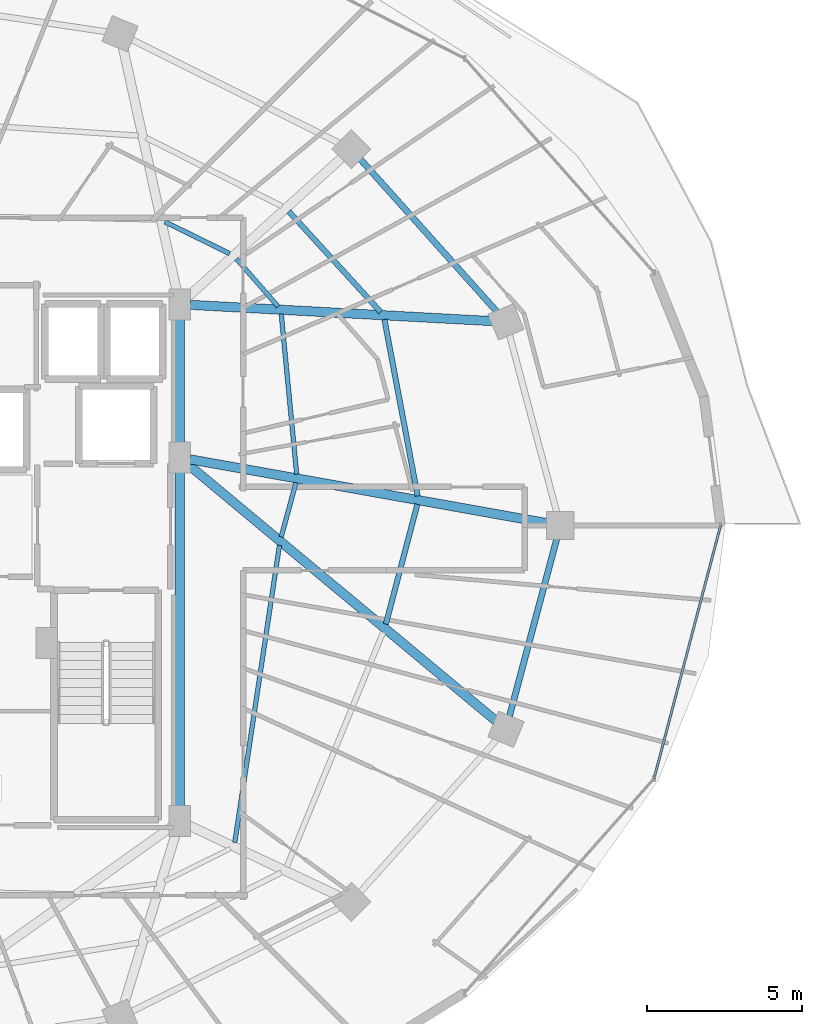
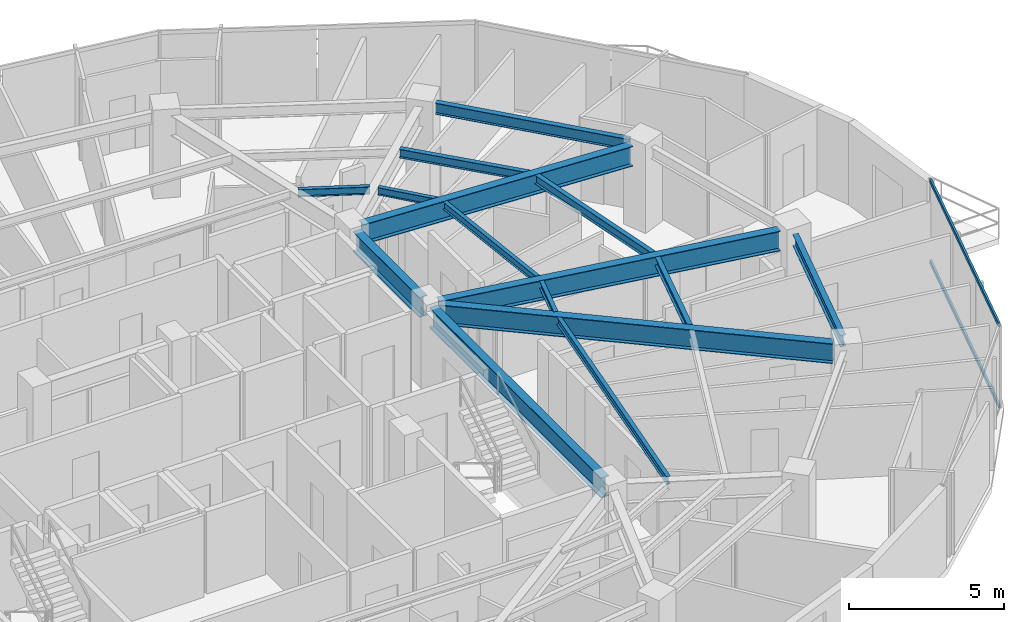
# One storey, part 14 of 34: 15 beams, 2 members, 1 element without a shape of its own.
"""IFC4 building model written with IfcOpenShell, lengths in metres."""

from ifc_helpers import new_model, si_unit, direction, frame, origin, origin_2d, place, context, subcontext, project, spatial, hollow_rectangle, i_section, extrude, material, material_profile, profile_set, type_object, element, aggregate, save


model = new_model("IFC4")

# Units and contexts
model_context = context("Model", 3, precision=1e-05, world=origin(), true_north=direction((0.0, 1.0)))
body_context = subcontext(model_context, "Body", "Model", "MODEL_VIEW")
ifc_project = project(units=[si_unit("LENGTHUNIT", "METRE"), si_unit("AREAUNIT", "SQUARE_METRE"), si_unit("VOLUMEUNIT", "CUBIC_METRE"), si_unit("PLANEANGLEUNIT", "RADIAN"), si_unit("MASSUNIT", "GRAM", prefix="KILO")], contexts=[model_context])

# Site, building, storey
site_placement = place(None, origin())
site = spatial("IfcSite", under=ifc_project, at=site_placement, CompositionType="ELEMENT")
building_placement = place(site_placement, origin())
building = spatial("IfcBuilding", under=site, at=building_placement, Name="Vorneva Point Tower", CompositionType="ELEMENT")
storey_placement = place(building_placement, frame((0.0, 0.0, 182.60009765625)))
storey = spatial("IfcBuildingStorey", under=building, at=storey_placement, Name="L49", CompositionType="ELEMENT", Elevation=182.60009765625)

# Beams
ifc_material_1 = material(Name="Steel S355", Category="steel")
ifc_material_profile_1 = material_profile(ifc_material_1, i_section(OverallWidth=0.300048828125, OverallDepth=0.7880859375, WebThickness=0.014404296875, FlangeThickness=0.02197265625, at=origin_2d()), Name="80Sh1")
ifc_profile_set_1 = profile_set([ifc_material_profile_1], Name="Steel S355")
beam_type_1 = type_object("IfcBeamType", Name="BM-GRD-80Sh1", PredefinedType="USERDEFINED", material=ifc_profile_set_1)
beam_1_placement = place(storey_placement, frame((60.618896484375, 26.0771484375, 2.845947265625), z_axis=(-0.984378602255, 0.176064668298, 0.0), x_axis=(-0.176064668298, -0.984378602255, 0.0)))
element("IfcBeam", 1, at=beam_1_placement, inside=storey, type_object=beam_type_1, Name="L49 Radial Primary Girder 01", ObjectType="GIRDER", PredefinedType="USERDEFINED", context=body_context, shape_type="SweptSolid", body=[
    extrude(i_section(OverallWidth=0.300048828125, OverallDepth=0.7880859375, WebThickness=0.014404296875, FlangeThickness=0.02197265625, at=origin_2d()), origin(), (0.0, 0.0, 1.0), 11.71728515625),
])
beam_2_placement = place(storey_placement, frame((58.85791015625, 32.605712890625, 2.845947265625), z_axis=(-0.998554028182, 0.053757351146, 0.0), x_axis=(-0.053757351146, -0.998554028182, 0.0)))
element("IfcBeam", 2, at=beam_2_placement, inside=storey, type_object=beam_type_1, Name="L49 Radial Primary Girder 02", ObjectType="GIRDER", PredefinedType="USERDEFINED", context=body_context, shape_type="SweptSolid", body=[
    extrude(i_section(OverallWidth=0.300048828125, OverallDepth=0.7880859375, WebThickness=0.014404296875, FlangeThickness=0.02197265625, at=origin_2d()), origin(), (0.0, 0.0, 1.0), 9.782470703125),
])
beam_3_placement = place(storey_placement, frame((58.958740234375, 19.697998046875, 2.845947265625), z_axis=(-0.768417564517, 0.639948784311, 0.0), x_axis=(-0.639948784311, -0.768417564517, 0.0)))
element("IfcBeam", 3, at=beam_3_placement, inside=storey, type_object=beam_type_1, Name="L49 Radial Primary Girder 16", ObjectType="GIRDER", PredefinedType="USERDEFINED", context=body_context, shape_type="SweptSolid", body=[
    extrude(i_section(OverallWidth=0.300048828125, OverallDepth=0.7880859375, WebThickness=0.014404296875, FlangeThickness=0.02197265625, at=origin_2d()), origin(), (0.0, 0.0, 1.0), 12.945556640625),
])
beam_4_placement = place(storey_placement, frame((48.75, 16.77001953125, 2.845947265625), z_axis=(0.0, 1.0, 0.0), x_axis=(-1.0, 0.0, 0.0)))
element("IfcBeam", 4, at=beam_4_placement, inside=storey, type_object=beam_type_1, Name="L49 Core Tie Girder CT3", ObjectType="GIRDER", PredefinedType="USERDEFINED", context=body_context, shape_type="SweptSolid", body=[
    extrude(i_section(OverallWidth=0.300048828125, OverallDepth=0.7880859375, WebThickness=0.014404296875, FlangeThickness=0.02197265625, at=origin_2d()), origin(), (0.0, 0.0, 1.0), 11.10986328125),
])
beam_5_placement = place(storey_placement, frame((48.75, 28.52001953125, 2.845947265625), z_axis=(0.0, 1.0, 0.0), x_axis=(-1.0, 0.0, 0.0)))
element("IfcBeam", 5, at=beam_5_placement, inside=storey, type_object=beam_type_1, Name="L49 Core Tie Girder CT4", ObjectType="GIRDER", PredefinedType="USERDEFINED", context=body_context, shape_type="SweptSolid", body=[
    extrude(i_section(OverallWidth=0.300048828125, OverallDepth=0.7880859375, WebThickness=0.014404296875, FlangeThickness=0.02197265625, at=origin_2d()), origin(), (0.0, 0.0, 1.0), 4.31005859375),
])
ifc_material_profile_2 = material_profile(ifc_material_1, i_section(OverallWidth=0.14892578125, OverallDepth=0.298095703125, WebThickness=0.005615234375, FlangeThickness=0.008056640625, at=origin_2d()), Name="30B1")
ifc_profile_set_2 = profile_set([ifc_material_profile_2], Name="Steel S355")
beam_type_2 = type_object("IfcBeamType", Name="BM-JST-30B1", PredefinedType="JOIST", material=ifc_profile_set_2)
beam_6_placement = place(storey_placement, frame((52.53173828125, 27.65869140625, 3.0908203125), z_axis=(-0.095841188908, 0.995396637783, 0.0), x_axis=(-0.995396637783, -0.095841188908, 0.0)))
element("IfcBeam", 6, at=beam_6_placement, inside=storey, type_object=beam_type_2, Name="L49 Secondary Floor Beam 2.01", PredefinedType="JOIST", context=body_context, shape_type="SweptSolid", body=[
    extrude(i_section(OverallWidth=0.14892578125, OverallDepth=0.298095703125, WebThickness=0.005615234375, FlangeThickness=0.008056640625, at=origin_2d()), origin(), (0.0, 0.0, 1.0), 5.20166015625),
])
beam_7_placement = place(storey_placement, frame((51.929443359375, 33.077880859375, 3.0908203125), z_axis=(-0.657025730744, 0.753868151032, 0.0), x_axis=(-0.753868151032, -0.657025730744, 0.0)))
element("IfcBeam", 7, at=beam_7_placement, inside=storey, type_object=beam_type_2, Name="L49 Secondary Floor Beam 2.02", PredefinedType="JOIST", context=body_context, shape_type="SweptSolid", body=[
    extrude(i_section(OverallWidth=0.14892578125, OverallDepth=0.298095703125, WebThickness=0.005615234375, FlangeThickness=0.008056640625, at=origin_2d()), origin(), (0.0, 0.0, 1.0), 2.047119140625),
])
beam_8_placement = place(storey_placement, frame((50.369873046875, 34.785888671875, 3.0908203125), z_axis=(-0.897704429199, 0.440598181789, 0.0), x_axis=(-0.440598181789, -0.897704429199, 0.0)))
element("IfcBeam", 8, at=beam_8_placement, inside=storey, type_object=beam_type_2, Name="L49 Secondary Floor Beam 2.03", PredefinedType="JOIST", context=body_context, shape_type="SweptSolid", body=[
    extrude(i_section(OverallWidth=0.14892578125, OverallDepth=0.298095703125, WebThickness=0.005615234375, FlangeThickness=0.008056640625, at=origin_2d()), origin(), (0.0, 0.0, 1.0), 2.336669921875),
])
beam_9_placement = place(storey_placement, frame((50.531494140625, 15.75732421875, 3.0908203125), z_axis=(0.14865392948, 0.988889280582, 0.0), x_axis=(-0.988889280582, 0.14865392948, 0.0)))
element("IfcBeam", 9, at=beam_9_placement, inside=storey, type_object=beam_type_2, Name="L49 Secondary Floor Beam 2.15", PredefinedType="JOIST", context=body_context, shape_type="SweptSolid", body=[
    extrude(i_section(OverallWidth=0.14892578125, OverallDepth=0.298095703125, WebThickness=0.005615234375, FlangeThickness=0.008056640625, at=origin_2d()), origin(), (0.0, 0.0, 1.0), 9.711181640625),
])
beam_10_placement = place(storey_placement, frame((52.03173828125, 25.63037109375, 3.0908203125), z_axis=(0.261948847975, 0.965081758736, 0.0), x_axis=(-0.965081758736, 0.261948847975, 0.0)))
element("IfcBeam", 10, at=beam_10_placement, inside=storey, type_object=beam_type_2, Name="L49 Secondary Floor Beam 2.16", PredefinedType="JOIST", context=body_context, shape_type="SweptSolid", body=[
    extrude(i_section(OverallWidth=0.14892578125, OverallDepth=0.298095703125, WebThickness=0.005615234375, FlangeThickness=0.008056640625, at=origin_2d()), origin(), (0.0, 0.0, 1.0), 1.821044921875),
])
ifc_material_profile_3 = material_profile(ifc_material_1, i_section(OverallWidth=0.174072265625, OverallDepth=0.345947265625, WebThickness=0.006103515625, FlangeThickness=0.009033203125, at=origin_2d()), Name="35B1")
ifc_profile_set_3 = profile_set([ifc_material_profile_3], Name="Steel S355")
beam_type_3 = type_object("IfcBeamType", Name="BM-SEC-35B1", PredefinedType="BEAM", material=ifc_profile_set_3)
beam_11_placement = place(storey_placement, frame((56.44091796875, 26.955322265625, 3.06689453125), z_axis=(-0.1850300408, 0.982732865026, 0.0), x_axis=(-0.982732865026, -0.1850300408, 0.0)))
element("IfcBeam", 11, at=beam_11_placement, inside=storey, type_object=beam_type_3, Name="L49 Secondary Floor Beam 1.01", PredefinedType="BEAM", context=body_context, shape_type="SweptSolid", body=[
    extrude(i_section(OverallWidth=0.174072265625, OverallDepth=0.345947265625, WebThickness=0.006103515625, FlangeThickness=0.009033203125, at=origin_2d()), origin(), (0.0, 0.0, 1.0), 5.804443359375),
])
beam_12_placement = place(storey_placement, frame((55.248291015625, 32.89697265625, 3.06689453125), z_axis=(-0.674381040012, 0.738383513407, 0.0), x_axis=(-0.738383513407, -0.674381040012, 0.0)))
element("IfcBeam", 12, at=beam_12_placement, inside=storey, type_object=beam_type_3, Name="L49 Secondary Floor Beam 1.02", PredefinedType="BEAM", context=body_context, shape_type="SweptSolid", body=[
    extrude(i_section(OverallWidth=0.174072265625, OverallDepth=0.345947265625, WebThickness=0.006103515625, FlangeThickness=0.009033203125, at=origin_2d()), origin(), (0.0, 0.0, 1.0), 4.40576171875),
])
beam_13_placement = place(storey_placement, frame((55.412841796875, 22.81396484375, 3.06689453125), z_axis=(0.254382249657, 0.96710375403, 0.0), x_axis=(-0.96710375403, 0.254382249657, 0.0)))
element("IfcBeam", 13, at=beam_13_placement, inside=storey, type_object=beam_type_3, Name="L49 Secondary Floor Beam 1.16", PredefinedType="BEAM", context=body_context, shape_type="SweptSolid", body=[
    extrude(i_section(OverallWidth=0.174072265625, OverallDepth=0.345947265625, WebThickness=0.006103515625, FlangeThickness=0.009033203125, at=origin_2d()), origin(), (0.0, 0.0, 1.0), 4.004150390625),
])
ifc_material_profile_4 = material_profile(ifc_material_1, i_section(OverallWidth=0.198974609375, OverallDepth=0.446044921875, WebThickness=0.008056640625, FlangeThickness=0.011962890625, at=origin_2d()), Name="45B1")
ifc_profile_set_4 = profile_set([ifc_material_profile_4], Name="Steel S355")
beam_type_4 = type_object("IfcBeamType", Name="BM-SPN-45B1", PredefinedType="SPANDREL", material=ifc_profile_set_4)
beam_14_placement = place(storey_placement, frame((59.005126953125, 32.90625, 3.016845703125), z_axis=(-0.66706970547, 0.744995307397, 0.0), x_axis=(-0.744995307397, -0.66706970547, 0.0)))
element("IfcBeam", 14, at=beam_14_placement, inside=storey, type_object=beam_type_4, Name="L49 Perimeter Spandrel Ring Beam 02", PredefinedType="SPANDREL", context=body_context, shape_type="SweptSolid", body=[
    extrude(i_section(OverallWidth=0.198974609375, OverallDepth=0.446044921875, WebThickness=0.008056640625, FlangeThickness=0.011962890625, at=origin_2d()), origin(), (0.0, 0.0, 1.0), 6.6201171875),
])
beam_15_placement = place(storey_placement, frame((59.407470703125, 19.838134765625, 3.016845703125), z_axis=(0.257578258003, 0.966257440336, 0.0), x_axis=(-0.966257440336, 0.257578258003, 0.0)))
element("IfcBeam", 15, at=beam_15_placement, inside=storey, type_object=beam_type_4, Name="L49 Perimeter Spandrel Ring Beam 16", PredefinedType="SPANDREL", context=body_context, shape_type="SweptSolid", body=[
    extrude(i_section(OverallWidth=0.198974609375, OverallDepth=0.446044921875, WebThickness=0.008056640625, FlangeThickness=0.011962890625, at=origin_2d()), origin(), (0.0, 0.0, 1.0), 5.94189453125),
])

# Curtain wall, members
ifc_material_2 = material(Name="Pale anodised aluminium", Category="aluminium")
curtain_wall_type = type_object("IfcCurtainWallType", Name="CW-RES-SYS", PredefinedType="NOTDEFINED", material=ifc_material_2)
curtain_wall_placement = place(storey_placement, origin())
curtain_wall = element("IfcCurtainWall", 16, at=curtain_wall_placement, inside=storey, type_object=curtain_wall_type, Name="L49 Unitised Curtain Wall CW-L49-R04", PredefinedType="NOTDEFINED")
ifc_material_profile_5 = material_profile(ifc_material_2, hollow_rectangle(XDim=0.074951171875, YDim=0.14990234375, WallThickness=0.00390625, at=origin_2d()), Name="AL-TRN 150x75x4")
ifc_profile_set_5 = profile_set([ifc_material_profile_5], Name="Pale anodised aluminium")
member_type = type_object("IfcMemberType", Name="CW-TRN-150", PredefinedType="USERDEFINED", material=ifc_profile_set_5)
member_1_placement = place(storey_placement, frame((64.0810546875, 17.82958984375, 0.02001953125), z_axis=(0.254362431281, 0.967108966742, 0.0), x_axis=(-0.967108966742, 0.254362431281, 0.0)))
member_1 = element("IfcMember", 17, at=member_1_placement, type_object=member_type, Name="CW-L49-R04 Transom 02.1", ObjectType="TRANSOM", PredefinedType="USERDEFINED", context=body_context, shape_type="SweptSolid", body=[
    extrude(hollow_rectangle(XDim=0.074951171875, YDim=0.14990234375, WallThickness=0.00390625, at=origin_2d()), origin(), (0.0, 0.0, 1.0), 8.4482421875),
])
member_2_placement = place(storey_placement, frame((64.0810546875, 17.82958984375, 3.219970703125), z_axis=(0.254362431281, 0.967108966742, 0.0), x_axis=(-0.967108966742, 0.254362431281, 0.0)))
member_2 = element("IfcMember", 18, at=member_2_placement, type_object=member_type, Name="CW-L49-R04 Transom 02.2", ObjectType="TRANSOM", PredefinedType="USERDEFINED", context=body_context, shape_type="SweptSolid", body=[
    extrude(hollow_rectangle(XDim=0.074951171875, YDim=0.14990234375, WallThickness=0.00390625, at=origin_2d()), origin(), (0.0, 0.0, 1.0), 8.4482421875),
])
aggregate(curtain_wall, [member_1, member_2])

save(model, "model.ifc")
